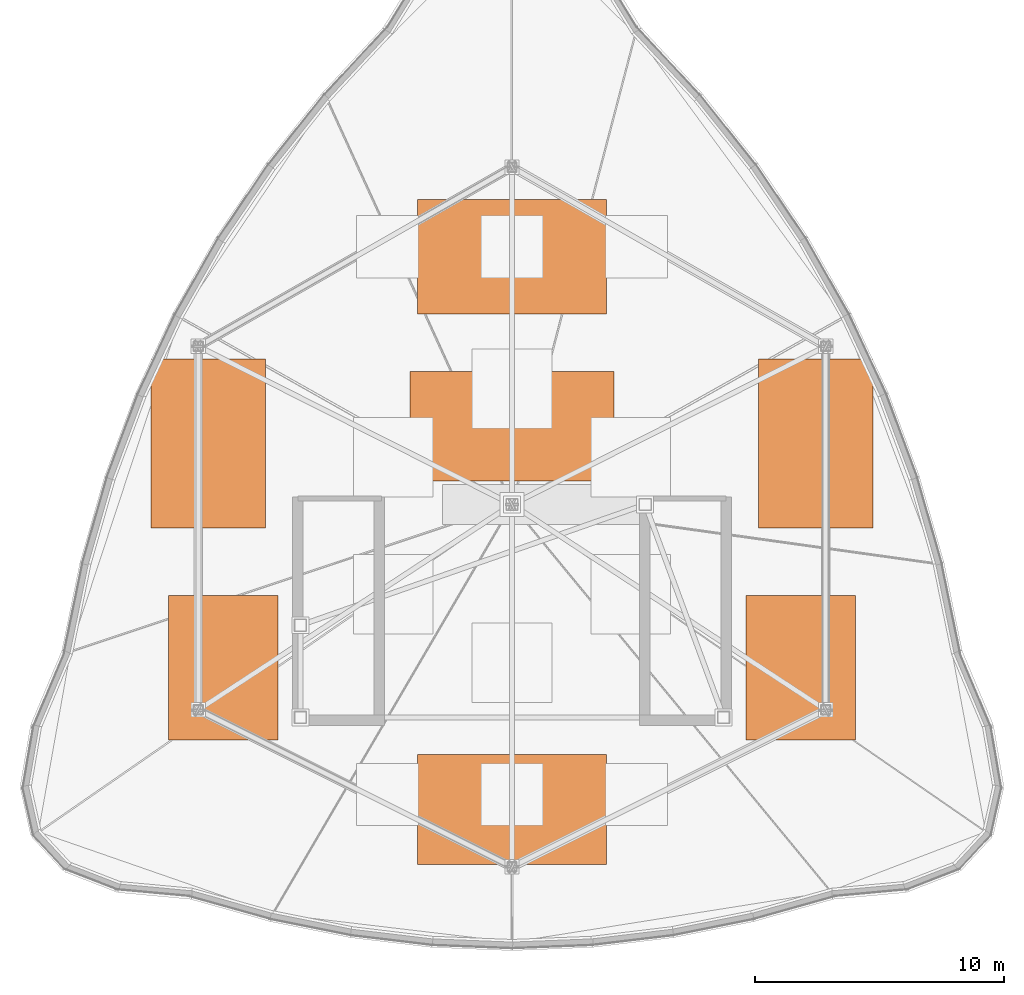
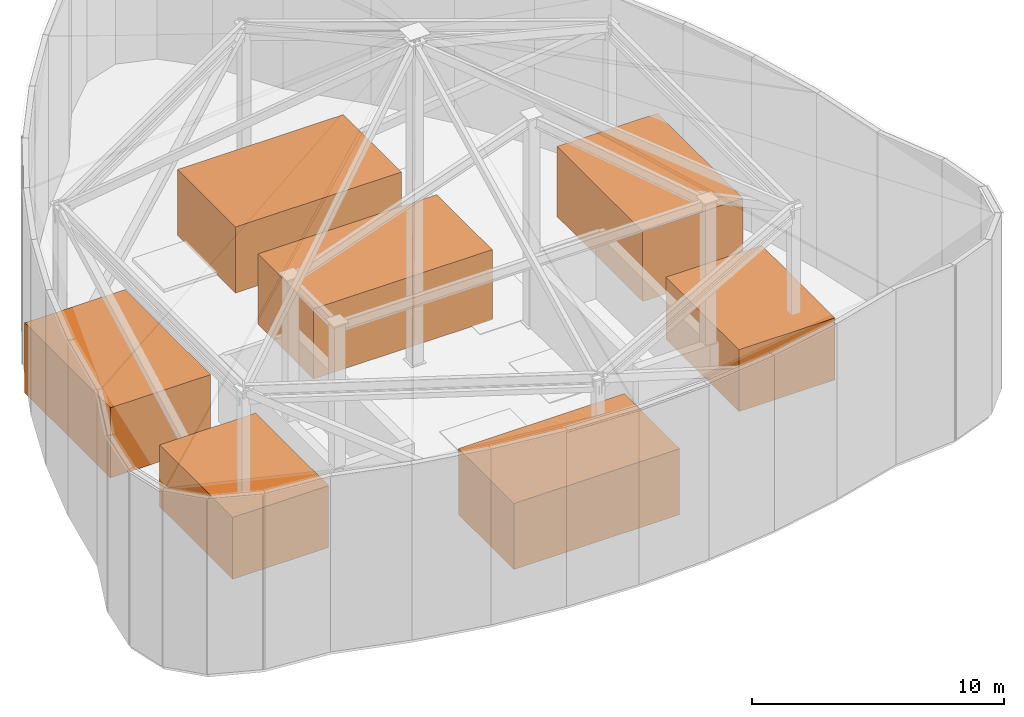
# One storey, part 6 of 6: 7 proxies.
"""IFC4 building model written with IfcOpenShell, lengths in metres."""

from ifc_helpers import new_model, si_unit, direction, frame, origin, origin_2d, place, context, subcontext, project, spatial, rectangle, extrude, element, save


model = new_model("IFC4")

# Units and contexts
model_context = context("Model", 3, precision=1e-05, world=origin(), true_north=direction((0.0, 1.0)))
body_context = subcontext(model_context, "Body", "Model", "MODEL_VIEW")
ifc_project = project(units=[si_unit("LENGTHUNIT", "METRE"), si_unit("AREAUNIT", "SQUARE_METRE"), si_unit("VOLUMEUNIT", "CUBIC_METRE"), si_unit("PLANEANGLEUNIT", "RADIAN"), si_unit("MASSUNIT", "GRAM", prefix="KILO")], contexts=[model_context])

# Site, building, storey
site_placement = place(None, origin())
site = spatial("IfcSite", under=ifc_project, at=site_placement, CompositionType="ELEMENT")
building_placement = place(site_placement, origin())
building = spatial("IfcBuilding", under=site, at=building_placement, Name="Miruveldt Soraemaru", CompositionType="ELEMENT")
storey_placement = place(building_placement, frame((0.0, 0.0, 318.0)))
storey = spatial("IfcBuildingStorey", under=building, at=storey_placement, Name="RF", CompositionType="ELEMENT", Elevation=318.0)

# Proxies
proxy_1_placement = place(storey_placement, frame((44.0, 54.0, 0.0), z_axis=(0.0, 0.0, 1.0), x_axis=(1.0, 0.0, 0.0)))
element("IfcBuildingElementProxy", 1, at=proxy_1_placement, inside=storey, Name="RF Crown Chiller Plant Equipment 1", ObjectType="PLANT", PredefinedType="USERDEFINED", context=body_context, shape_type="SweptSolid", body=[
    extrude(rectangle(XDim=7.60009765625, YDim=4.60009765625, at=origin_2d()), origin(), (0.0, 0.0, 1.0), 3.199951171875),
])
proxy_2_placement = place(storey_placement, frame((44.0, 31.800048828125, 0.0), z_axis=(0.0, 0.0, 1.0), x_axis=(1.0, 0.0, 0.0)))
element("IfcBuildingElementProxy", 2, at=proxy_2_placement, inside=storey, Name="RF Crown Chiller Plant Equipment 2", ObjectType="PLANT", PredefinedType="USERDEFINED", context=body_context, shape_type="SweptSolid", body=[
    extrude(rectangle(XDim=7.60009765625, YDim=4.39990234375, at=origin_2d()), origin(), (0.0, 0.0, 1.0), 3.199951171875),
])
for number, where, z_axis, x_axis, name in (
    (3, (31.800048828125, 46.5, 0.0), (0.0, 0.0, 1.0), (1.0, 0.0, 0.0), "RF Crown Cooling Tower Plant Unit 1"),
    (4, (56.199951171875, 46.5, 0.0), (0.0, 0.0, 1.0), (1.0, 0.0, 0.0), "RF Crown Cooling Tower Plant Unit 2"),
):
    element("IfcBuildingElementProxy", number, at=place(storey_placement, frame(where, z_axis=z_axis, x_axis=x_axis)), inside=storey, Name=name, ObjectType="PLANT", PredefinedType="USERDEFINED", context=body_context, shape_type="SweptSolid", body=[
        extrude(rectangle(XDim=4.60009765625, YDim=6.800048828125, at=origin_2d()), origin(), (0.0, 0.0, 1.0), 3.39990234375),
    ])
for number, where, z_axis, x_axis, name in (
    (5, (32.39990234375, 37.5, 0.0), (0.0, 0.0, 1.0), (1.0, 0.0, 0.0), "RF Crown Air Handling Mechanical Plant 1"),
    (6, (55.60009765625, 37.5, 0.0), (0.0, 0.0, 1.0), (1.0, 0.0, 0.0), "RF Crown Air Handling Mechanical Plant 2"),
):
    element("IfcBuildingElementProxy", number, at=place(storey_placement, frame(where, z_axis=z_axis, x_axis=x_axis)), inside=storey, Name=name, ObjectType="PLANT", PredefinedType="USERDEFINED", context=body_context, shape_type="SweptSolid", body=[
        extrude(rectangle(XDim=4.39990234375, YDim=5.800048828125, at=origin_2d()), origin(), (0.0, 0.0, 1.0), 3.0),
    ])
proxy_3_placement = place(storey_placement, frame((44.0, 47.199951171875, 0.0), z_axis=(0.0, 0.0, 1.0), x_axis=(1.0, 0.0, 0.0)))
element("IfcBuildingElementProxy", 7, at=proxy_3_placement, inside=storey, Name="RF Crown Lift Overrun Mechanical Plant", ObjectType="PLANT", PredefinedType="USERDEFINED", context=body_context, shape_type="SweptSolid", body=[
    extrude(rectangle(XDim=8.199951171875, YDim=4.39990234375, at=origin_2d()), origin(), (0.0, 0.0, 1.0), 3.39990234375),
])

save(model, "model.ifc")
